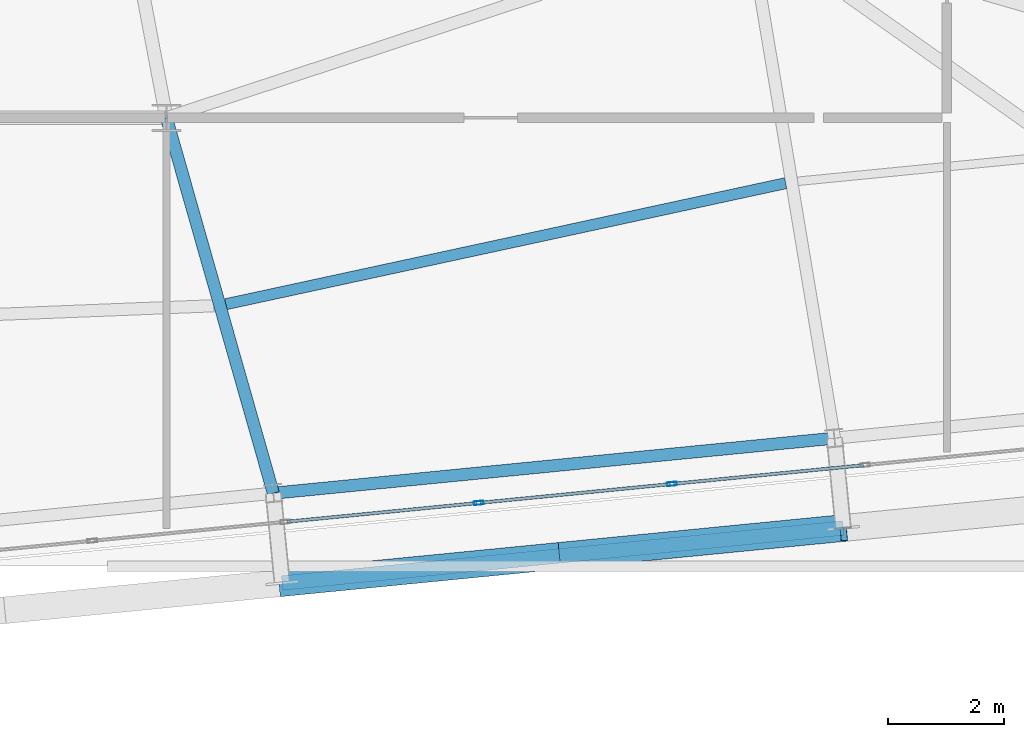
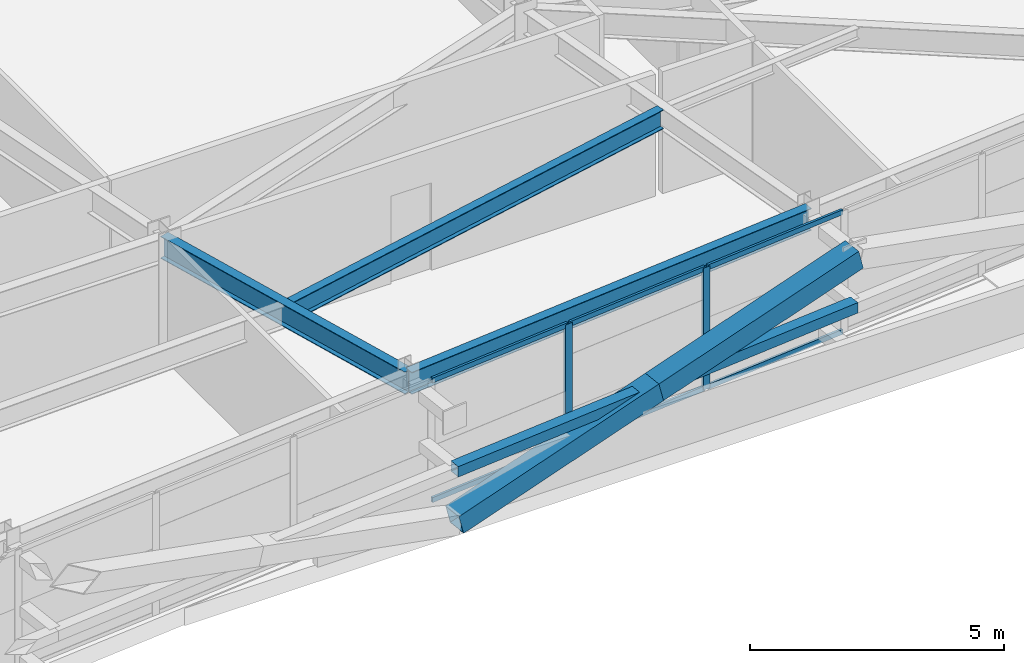
# One storey, part 18 of 51: 11 members, 3 beams, 1 element without a shape of its own.
"""IFC4 building model written with IfcOpenShell, lengths in metres."""

from ifc_helpers import new_model, si_unit, direction, frame, origin, origin_2d, place, context, subcontext, project, spatial, hollow_rectangle, i_section, extrude, source, transform, mapped, material, layer, layer_set, material_profile, profile_set, type_object, element, aggregate, save


model = new_model("IFC4")

# Units and contexts
model_context = context("Model", 3, precision=1e-05, world=origin(), true_north=direction((0.0, 1.0)))
body_context = subcontext(model_context, "Body", "Model", "MODEL_VIEW")
ifc_project = project(units=[si_unit("LENGTHUNIT", "METRE"), si_unit("AREAUNIT", "SQUARE_METRE"), si_unit("VOLUMEUNIT", "CUBIC_METRE"), si_unit("PLANEANGLEUNIT", "RADIAN"), si_unit("MASSUNIT", "GRAM", prefix="KILO")], contexts=[model_context])

# Site, building, storey
site_placement = place(None, origin())
site = spatial("IfcSite", under=ifc_project, at=site_placement, CompositionType="ELEMENT")
building_placement = place(site_placement, origin())
building = spatial("IfcBuilding", under=site, at=building_placement, Name="Taldren Reach Tower", CompositionType="ELEMENT")
storey_placement = place(building_placement, frame((0.0, 0.0, 65.10009765625)))
storey = spatial("IfcBuildingStorey", under=building, at=storey_placement, Name="L19", CompositionType="ELEMENT", Elevation=65.10009765625)

# Beams
ifc_material_1 = material(Name="Steel Gr 350 (350PLUS)", Category="steel")
ifc_material_profile_1 = material_profile(ifc_material_1, i_section(OverallWidth=0.208984375, OverallDepth=0.528076171875, WebThickness=0.009521484375, FlangeThickness=0.01318359375, at=origin_2d()), Name="530UB82.0")
ifc_profile_set_1 = profile_set([ifc_material_profile_1], Name="Steel Gr 350 (350PLUS)")
beam_type_1 = type_object("IfcBeamType", Name="SP-UB530B", PredefinedType="SPANDREL", material=ifc_profile_set_1)
shared_shape_1 = source(origin(), body_context, "Body", "SweptSolid", [
    extrude(i_section(OverallWidth=0.208984375, OverallDepth=0.528076171875, WebThickness=0.009521484375, FlangeThickness=0.01318359375, at=origin_2d()), origin(), (0.0, 0.0, 1.0), 9.68017578125),
])
beam_1_placement = place(storey_placement, frame((43.83544921875, 2.75390625, 2.666015625), z_axis=(0.995227852805, 0.097578281404, 0.0), x_axis=(-0.097578281404, 0.995227852805, 0.0)))
element("IfcBeam", 1, at=beam_1_placement, inside=storey, type_object=beam_type_1, Name="Perimeter spandrel B2 S4-S5 L19", PredefinedType="SPANDREL", context=body_context, shape_type="MappedRepresentation", body=[
    mapped(shared_shape_1, transform((0.0, 0.0, 0.0), scale=1.0)),
])
ifc_material_profile_2 = material_profile(ifc_material_1, i_section(OverallWidth=0.208984375, OverallDepth=0.532958984375, WebThickness=0.01025390625, FlangeThickness=0.015625, at=origin_2d()), Name="530UB92.4")
ifc_profile_set_2 = profile_set([ifc_material_profile_2], Name="Steel Gr 350 (350PLUS)")
beam_type_2 = type_object("IfcBeamType", Name="BM-UB530A", PredefinedType="BEAM", material=ifc_profile_set_2)
shared_shape_2 = source(origin(), body_context, "Body", "SweptSolid", [
    extrude(i_section(OverallWidth=0.208984375, OverallDepth=0.532958984375, WebThickness=0.01025390625, FlangeThickness=0.015625, at=origin_2d()), origin(), (0.0, 0.0, 1.0), 6.7021484375),
])
beam_2_placement = place(storey_placement, frame((42.0, 9.199951171875, 2.663330078125), z_axis=(0.273855026091, -0.961770983491, 0.0), x_axis=(0.961770983491, 0.273855026091, 0.0)))
element("IfcBeam", 2, at=beam_2_placement, inside=storey, type_object=beam_type_2, Name="Primary floor girder B2-S4 L19", PredefinedType="BEAM", context=body_context, shape_type="MappedRepresentation", body=[
    mapped(shared_shape_2, transform((0.0, 0.0, 0.0), scale=1.0)),
])
ifc_material_profile_3 = material_profile(ifc_material_1, i_section(OverallWidth=0.19091796875, OverallDepth=0.4599609375, WebThickness=0.010009765625, FlangeThickness=0.01611328125, at=origin_2d()), Name="460UB82.1")
ifc_profile_set_3 = profile_set([ifc_material_profile_3], Name="Steel Gr 350 (350PLUS)")
beam_type_3 = type_object("IfcBeamType", Name="BM-UB460A", PredefinedType="BEAM", material=ifc_profile_set_3)
shared_shape_3 = source(origin(), body_context, "Body", "SweptSolid", [
    extrude(i_section(OverallWidth=0.19091796875, OverallDepth=0.4599609375, WebThickness=0.010009765625, FlangeThickness=0.01611328125, at=origin_2d()), origin(), (0.0, 0.0, 1.0), 9.83447265625),
])
beam_3_placement = place(storey_placement, frame((43.02001953125, 5.9990234375, 2.699951171875), z_axis=(0.977418600156, 0.211312280924, 0.0), x_axis=(-0.211312280924, 0.977418600156, 0.0)))
element("IfcBeam", 3, at=beam_3_placement, inside=storey, type_object=beam_type_3, Name="Secondary floor beam B2 J4 L19", PredefinedType="BEAM", context=body_context, shape_type="MappedRepresentation", body=[
    mapped(shared_shape_3, transform((0.0, 0.0, 0.0), scale=1.0)),
])

# Members
ifc_material_2 = material(Name="Steel Gr 450 (C450L0)", Category="steel")
ifc_material_profile_4 = material_profile(ifc_material_2, hollow_rectangle(XDim=0.4599609375, YDim=0.4599609375, WallThickness=0.01611328125, at=origin_2d()), Name="460x460x16.0SHS")
ifc_profile_set_4 = profile_set([ifc_material_profile_4], Name="Steel Gr 450 (C450L0)")
member_type_1 = type_object("IfcMemberType", Name="MB-EXO457", PredefinedType="BRACE", material=ifc_profile_set_4)
shared_shape_4 = source(origin(), body_context, "Body", "SweptSolid", [
    extrude(hollow_rectangle(XDim=0.4599609375, YDim=0.4599609375, WallThickness=0.01611328125, at=origin_2d()), origin(), (0.0, 0.0, 1.0), 4.990234375),
])
for number, where, z_axis, x_axis, name in (
    (4, (43.98681640625, 1.21142578125, 0.219970703125), (0.965287024526, 0.094620633828, 0.24344998652), (-0.097555749586, 0.995230061706, 0.0), "Exoskeleton Diagrid Brace B2-S4 L19"),
    (5, (48.8037109375, 1.68359375, 1.434814453125), (0.965271056716, 0.094667992638, 0.243494883389), (-0.097605711627, 0.995225162995, 0.0), "Exoskeleton Diagrid Brace B2-S4 L19"),
):
    element("IfcMember", number, at=place(storey_placement, frame(where, z_axis=z_axis, x_axis=x_axis)), inside=storey, type_object=member_type_1, Name=name, PredefinedType="BRACE", context=body_context, shape_type="MappedRepresentation", body=[
        mapped(shared_shape_4, transform((0.0, 0.0, 0.0), scale=1.0)),
    ])
ifc_material_3 = material(Name="Steel Gr 350 (C350L0)", Category="steel")
ifc_material_profile_5 = material_profile(ifc_material_3, hollow_rectangle(XDim=0.25, YDim=0.25, WallThickness=0.010009765625, at=origin_2d()), Name="250x250x10.0SHS")
ifc_profile_set_5 = profile_set([ifc_material_profile_5], Name="Steel Gr 350 (C350L0)")
member_type_2 = type_object("IfcMemberType", Name="MB-POST250", PredefinedType="POST", material=ifc_profile_set_5)
shared_shape_5 = source(origin(), body_context, "Body", "SweptSolid", [
    extrude(hollow_rectangle(XDim=0.25, YDim=0.25, WallThickness=0.010009765625, at=origin_2d()), origin(), (0.0, 0.0, 1.0), 9.679931640625),
])
member_1_placement = place(storey_placement, frame((43.98681640625, 1.21142578125, 1.434814453125), z_axis=(0.995227612658, 0.097580730699, 0.0), x_axis=(-0.097580730699, 0.995227612658, 0.0)))
element("IfcMember", 6, at=member_1_placement, inside=storey, type_object=member_type_2, Name="Exoskeleton mid-height ring chord B2-S4 L19", PredefinedType="POST", context=body_context, shape_type="MappedRepresentation", body=[
    mapped(shared_shape_5, transform((0.0, 0.0, 0.0), scale=1.0)),
])

# Curtain wall, members
ifc_material_4 = material(Name="Aluminium and Low-E Glass Unitised System", Category="aluminium")
ifc_layer = layer(ifc_material_4, 0.159912109375)
ifc_layer_set = layer_set([ifc_layer], Name="Aluminium and Low-E Glass Unitised System")
curtain_wall_type = type_object("IfcCurtainWallType", Name="CW-SYS-3", PredefinedType="NOTDEFINED", material=ifc_layer_set)
curtain_wall_placement = place(storey_placement, origin())
curtain_wall = element("IfcCurtainWall", 7, at=curtain_wall_placement, inside=storey, type_object=curtain_wall_type, Name="Unitised curtain wall CW-L19-S", PredefinedType="NOTDEFINED")
ifc_material_5 = material(Name="Anodised Aluminium 6063-T6", Category="aluminium")
ifc_material_profile_6 = material_profile(ifc_material_5, hollow_rectangle(XDim=0.06494140625, YDim=0.1650390625, WallThickness=0.00390625, at=origin_2d()), Name="ALU-165x65x4RHS")
ifc_profile_set_6 = profile_set([ifc_material_profile_6], Name="Anodised Aluminium 6063-T6")
member_type_3 = type_object("IfcMemberType", Name="CW-MUL-165", PredefinedType="MULLION", material=ifc_profile_set_6)
shared_shape_6 = source(origin(), body_context, "Body", "SweptSolid", [
    extrude(hollow_rectangle(XDim=0.06494140625, YDim=0.1650390625, WallThickness=0.00390625, at=origin_2d()), origin(), (0.0, 0.0, 1.0), 2.929931640625),
])
member_2_placement = place(storey_placement, frame((47.362060546875, 2.587158203125, 0.0), z_axis=(0.0, 0.0, 1.0), x_axis=(-0.097582999046, 0.995227390247, 0.0)))
member_2 = element("IfcMember", 8, at=member_2_placement, type_object=member_type_3, Name="CW-3 mullion 11", PredefinedType="MULLION", context=body_context, shape_type="MappedRepresentation", body=[
    mapped(shared_shape_6, transform((0.0, 0.0, 0.0), scale=1.0)),
])
member_3_placement = place(storey_placement, frame((50.679443359375, 2.91259765625, 0.0), z_axis=(0.0, 0.0, 1.0), x_axis=(-0.097582999046, 0.995227390247, 0.0)))
member_3 = element("IfcMember", 9, at=member_3_placement, type_object=member_type_3, Name="CW-3 mullion 12", PredefinedType="MULLION", context=body_context, shape_type="MappedRepresentation", body=[
    mapped(shared_shape_6, transform((0.0, 0.0, 0.0), scale=1.0)),
])
ifc_material_profile_7 = material_profile(ifc_material_5, hollow_rectangle(XDim=0.054931640625, YDim=0.1201171875, WallThickness=0.0029296875, at=origin_2d()), Name="ALU-120x55x3RHS")
ifc_profile_set_7 = profile_set([ifc_material_profile_7], Name="Anodised Aluminium 6063-T6")
member_type_4 = type_object("IfcMemberType", Name="CW-TRN-135", PredefinedType="USERDEFINED", material=ifc_profile_set_7)
shared_shape_7 = source(origin(), body_context, "Body", "SweptSolid", [
    extrude(hollow_rectangle(XDim=0.054931640625, YDim=0.1201171875, WallThickness=0.0029296875, at=origin_2d()), origin(), (0.0, 0.0, 1.0), 3.268310546875),
])
member_4_placement = place(storey_placement, frame((44.076904296875, 2.26513671875, 0.02734375), z_axis=(0.99522980512, 0.097558367146, 0.0), x_axis=(-0.097558367146, 0.99522980512, 0.0)))
member_4 = element("IfcMember", 10, at=member_4_placement, type_object=member_type_4, Name="CW-3 transom 10.1", ObjectType="TRANSOM", PredefinedType="USERDEFINED", context=body_context, shape_type="MappedRepresentation", body=[
    mapped(shared_shape_7, transform((0.0, 0.0, 0.0), scale=1.0)),
])
member_5_placement = place(storey_placement, frame((44.076904296875, 2.26513671875, 2.90234375), z_axis=(0.99522980512, 0.097558367146, 0.0), x_axis=(-0.097558367146, 0.99522980512, 0.0)))
member_5 = element("IfcMember", 11, at=member_5_placement, type_object=member_type_4, Name="CW-3 transom 10.2", ObjectType="TRANSOM", PredefinedType="USERDEFINED", context=body_context, shape_type="MappedRepresentation", body=[
    mapped(shared_shape_7, transform((0.0, 0.0, 0.0), scale=1.0)),
])
member_6_placement = place(storey_placement, frame((47.394287109375, 2.59033203125, 0.02734375), z_axis=(0.995222549564, 0.097632355496, 0.0), x_axis=(-0.097632355496, 0.995222549564, 0.0)))
member_6 = element("IfcMember", 12, at=member_6_placement, type_object=member_type_4, Name="CW-3 transom 11.1", ObjectType="TRANSOM", PredefinedType="USERDEFINED", context=body_context, shape_type="MappedRepresentation", body=[
    mapped(shared_shape_7, transform((0.0, 0.0, 0.0), scale=1.0)),
])
member_7_placement = place(storey_placement, frame((47.394287109375, 2.59033203125, 2.90234375), z_axis=(0.995222549564, 0.097632355496, 0.0), x_axis=(-0.097632355496, 0.995222549564, 0.0)))
member_7 = element("IfcMember", 13, at=member_7_placement, type_object=member_type_4, Name="CW-3 transom 11.2", ObjectType="TRANSOM", PredefinedType="USERDEFINED", context=body_context, shape_type="MappedRepresentation", body=[
    mapped(shared_shape_7, transform((0.0, 0.0, 0.0), scale=1.0)),
])
shared_shape_8 = source(origin(), body_context, "Body", "SweptSolid", [
    extrude(hollow_rectangle(XDim=0.054931640625, YDim=0.1201171875, WallThickness=0.0029296875, at=origin_2d()), origin(), (0.0, 0.0, 1.0), 3.2685546875),
])
member_8_placement = place(storey_placement, frame((50.711669921875, 2.915771484375, 0.02734375), z_axis=(0.99523051601, 0.097551114824, 0.0), x_axis=(-0.097551114824, 0.99523051601, 0.0)))
member_8 = element("IfcMember", 14, at=member_8_placement, type_object=member_type_4, Name="CW-3 transom 12.1", ObjectType="TRANSOM", PredefinedType="USERDEFINED", context=body_context, shape_type="MappedRepresentation", body=[
    mapped(shared_shape_8, transform((0.0, 0.0, 0.0), scale=1.0)),
])
member_9_placement = place(storey_placement, frame((50.711669921875, 2.915771484375, 2.90234375), z_axis=(0.99523051601, 0.097551114824, 0.0), x_axis=(-0.097551114824, 0.99523051601, 0.0)))
member_9 = element("IfcMember", 15, at=member_9_placement, type_object=member_type_4, Name="CW-3 transom 12.2", ObjectType="TRANSOM", PredefinedType="USERDEFINED", context=body_context, shape_type="MappedRepresentation", body=[
    mapped(shared_shape_8, transform((0.0, 0.0, 0.0), scale=1.0)),
])
aggregate(curtain_wall, [member_2, member_3, member_4, member_5, member_6, member_7, member_8, member_9])

save(model, "model.ifc")
